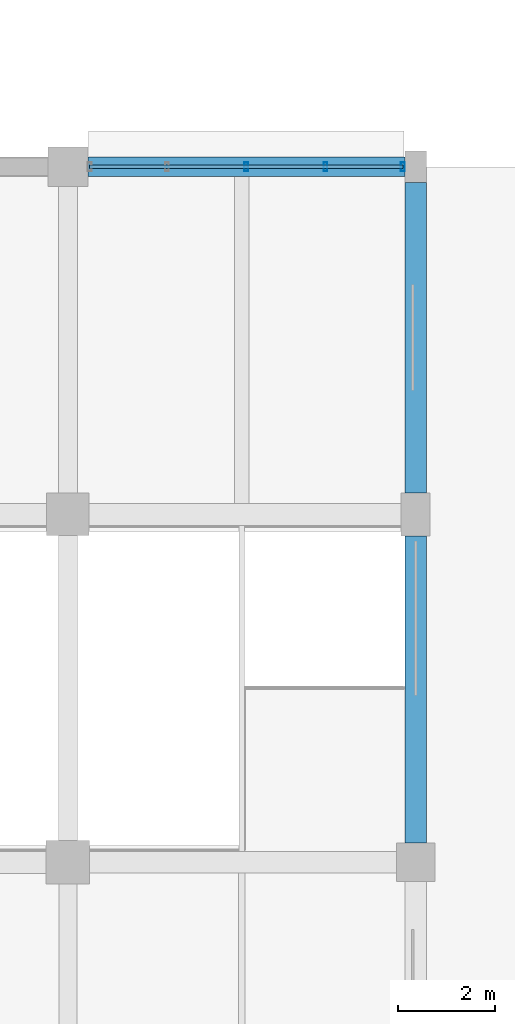
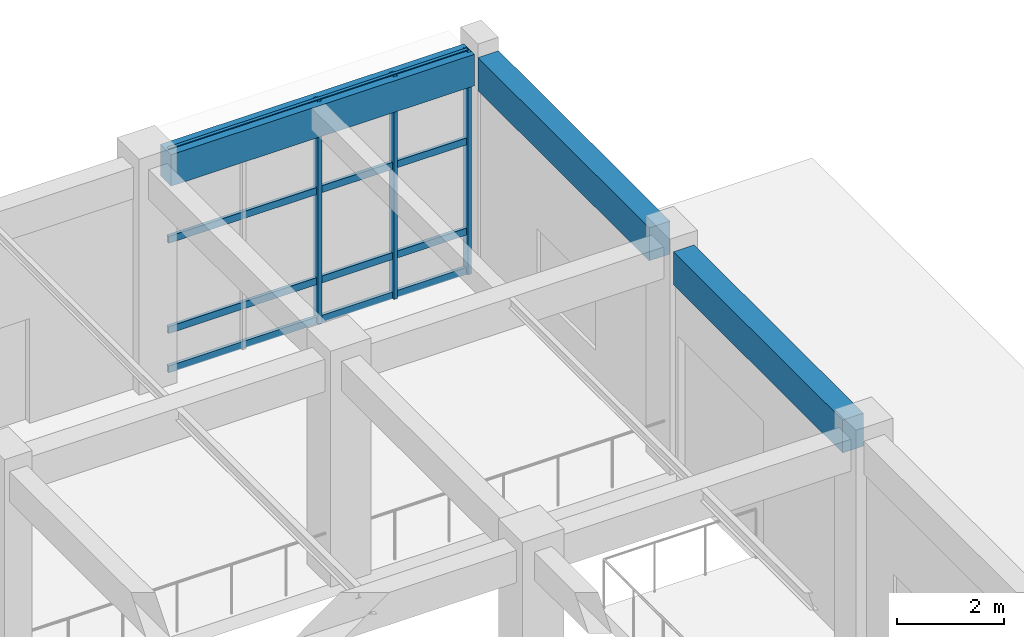
# One storey, part 111 of 160: 7 members, 3 beams, 1 element without a shape of its own.
"""IFC4 building model written with IfcOpenShell, lengths in metres."""

from ifc_helpers import new_model, si_unit, direction, frame, origin, origin_2d, place, context, subcontext, project, spatial, rectangle, hollow_rectangle, extrude, material, material_profile, profile_set, type_object, element, aggregate, save


model = new_model("IFC4")

# Units and contexts
model_context = context("Model", 3, precision=1e-05, world=origin(), true_north=direction((0.0, 1.0)))
body_context = subcontext(model_context, "Body", "Model", "MODEL_VIEW")
ifc_project = project(units=[si_unit("LENGTHUNIT", "METRE"), si_unit("AREAUNIT", "SQUARE_METRE"), si_unit("VOLUMEUNIT", "CUBIC_METRE"), si_unit("PLANEANGLEUNIT", "RADIAN"), si_unit("MASSUNIT", "GRAM", prefix="KILO")], contexts=[model_context])

# Site, building, storey
site_placement = place(None, origin())
site = spatial("IfcSite", under=ifc_project, at=site_placement, CompositionType="ELEMENT")
building_placement = place(site_placement, origin())
building = spatial("IfcBuilding", under=site, at=building_placement, Name="Thalmaran Polytechnic", CompositionType="ELEMENT")
storey_placement = place(building_placement, origin())
storey = spatial("IfcBuildingStorey", under=building, at=storey_placement, Name="L00", CompositionType="ELEMENT", Elevation=0.0)

# Beams
ifc_material_1 = material(Name="Concrete C40/50", Category="concrete")
ifc_material_profile_1 = material_profile(ifc_material_1, rectangle(XDim=0.39990234375, YDim=0.719970703125, at=origin_2d()), Name="RC 400x720")
ifc_profile_set_1 = profile_set([ifc_material_profile_1], Name="Concrete C40/50")
beam_type_1 = type_object("IfcBeamType", Name="BM-SP01", PredefinedType="SPANDREL", material=ifc_profile_set_1)
beam_1_placement = place(storey_placement, frame((166.010009765625, 122.39990234375, 4.72998046875), z_axis=(1.0, 0.0, 0.0), x_axis=(0.0, 1.0, 0.0)))
element("IfcBeam", 1, at=beam_1_placement, inside=storey, type_object=beam_type_1, Name="Grid Beam SP01 L00 X(23,17)", PredefinedType="SPANDREL", context=body_context, shape_type="SweptSolid", body=[
    extrude(rectangle(XDim=0.39990234375, YDim=0.719970703125, at=origin_2d()), origin(), (0.0, 0.0, 1.0), 6.56494140625),
])
ifc_material_profile_2 = material_profile(ifc_material_1, rectangle(XDim=0.449951171875, YDim=0.7548828125, at=origin_2d()), Name="RC 450x755")
ifc_profile_set_2 = profile_set([ifc_material_profile_2], Name="Concrete C40/50")
beam_type_2 = type_object("IfcBeamType", Name="BM-SP02", PredefinedType="SPANDREL", material=ifc_profile_set_2)
beam_2_placement = place(storey_placement, frame((172.800048828125, 108.39990234375, 4.71240234375), z_axis=(0.0, 1.0, 0.0), x_axis=(-1.0, 0.0, 0.0)))
element("IfcBeam", 2, at=beam_2_placement, inside=storey, type_object=beam_type_2, Name="Grid Beam SP02 L00 Y(24,15)", PredefinedType="SPANDREL", context=body_context, shape_type="SweptSolid", body=[
    extrude(rectangle(XDim=0.449951171875, YDim=0.7548828125, at=origin_2d()), origin(), (0.0, 0.0, 1.0), 6.35009765625),
])
beam_3_placement = place(storey_placement, frame((172.800048828125, 115.64990234375, 4.71240234375), z_axis=(0.0, 1.0, 0.0), x_axis=(-1.0, 0.0, 0.0)))
element("IfcBeam", 3, at=beam_3_placement, inside=storey, type_object=beam_type_2, Name="Grid Beam SP02 L00 Y(24,16)", PredefinedType="SPANDREL", context=body_context, shape_type="SweptSolid", body=[
    extrude(rectangle(XDim=0.449951171875, YDim=0.7548828125, at=origin_2d()), origin(), (0.0, 0.0, 1.0), 6.425048828125),
])

# Curtain wall, members
ifc_material_2 = material(Name="Aluminium 6063-T6", Category="aluminium")
curtain_wall_type = type_object("IfcCurtainWallType", Name="CW-UC01", PredefinedType="USERDEFINED", material=ifc_material_2)
curtain_wall_placement = place(storey_placement, origin())
curtain_wall = element("IfcCurtainWall", 4, at=curtain_wall_placement, inside=storey, type_object=curtain_wall_type, Name="Curtain Wall CW-L00-013", ObjectType="UNITISED CURTAIN WALL", PredefinedType="USERDEFINED")
ifc_material_profile_3 = material_profile(ifc_material_2, hollow_rectangle(XDim=0.080078125, YDim=0.179931640625, WallThickness=0.0048828125, at=origin_2d()), Name="RHS 180x80x5.0")
ifc_profile_set_3 = profile_set([ifc_material_profile_3], Name="Aluminium 6063-T6")
member_type_1 = type_object("IfcMemberType", Name="CW-MUL1", PredefinedType="MULLION", material=ifc_profile_set_3)
member_1_placement = place(storey_placement, frame((169.29248046875, 122.39990234375, 0.0), z_axis=(0.0, 0.0, 1.0), x_axis=(1.0, 0.0, 0.0)))
member_1 = element("IfcMember", 5, at=member_1_placement, type_object=member_type_1, Name="CW-L00-013 Mullion 3", PredefinedType="MULLION", context=body_context, shape_type="SweptSolid", body=[
    extrude(hollow_rectangle(XDim=0.080078125, YDim=0.179931640625, WallThickness=0.0048828125, at=origin_2d()), origin(), (0.0, 0.0, 1.0), 5.090087890625),
])
member_2_placement = place(storey_placement, frame((170.933837890625, 122.39990234375, 0.0), z_axis=(0.0, 0.0, 1.0), x_axis=(1.0, 0.0, 0.0)))
member_2 = element("IfcMember", 6, at=member_2_placement, type_object=member_type_1, Name="CW-L00-013 Mullion 4", PredefinedType="MULLION", context=body_context, shape_type="SweptSolid", body=[
    extrude(hollow_rectangle(XDim=0.080078125, YDim=0.179931640625, WallThickness=0.0048828125, at=origin_2d()), origin(), (0.0, 0.0, 1.0), 5.090087890625),
])
member_3_placement = place(storey_placement, frame((172.534912109375, 122.39990234375, 0.0), z_axis=(0.0, 0.0, 1.0), x_axis=(1.0, 0.0, 0.0)))
member_3 = element("IfcMember", 7, at=member_3_placement, type_object=member_type_1, Name="CW-L00-013 Mullion 5", PredefinedType="MULLION", context=body_context, shape_type="SweptSolid", body=[
    extrude(hollow_rectangle(XDim=0.080078125, YDim=0.179931640625, WallThickness=0.0048828125, at=origin_2d()), origin(), (0.0, 0.0, 1.0), 5.090087890625),
])
ifc_material_profile_4 = material_profile(ifc_material_2, hollow_rectangle(XDim=0.070068359375, YDim=0.159912109375, WallThickness=0.00390625, at=origin_2d()), Name="AL 160x70x4.0")
ifc_profile_set_4 = profile_set([ifc_material_profile_4], Name="Aluminium 6063-T6")
member_type_2 = type_object("IfcMemberType", Name="CW-TRN1", PredefinedType="USERDEFINED", material=ifc_profile_set_4)
member_4_placement = place(storey_placement, frame((166.050048828125, 122.39990234375, 0.06005859375), z_axis=(1.0, 0.0, 0.0), x_axis=(0.0, 1.0, 0.0)))
member_4 = element("IfcMember", 8, at=member_4_placement, type_object=member_type_2, Name="CW-L00-013 Transom 1", ObjectType="TRANSOM", PredefinedType="USERDEFINED", context=body_context, shape_type="SweptSolid", body=[
    extrude(hollow_rectangle(XDim=0.070068359375, YDim=0.159912109375, WallThickness=0.00390625, at=origin_2d()), origin(), (0.0, 0.0, 1.0), 6.48486328125),
])
member_5_placement = place(storey_placement, frame((166.050048828125, 122.39990234375, 0.9599609375), z_axis=(1.0, 0.0, 0.0), x_axis=(0.0, 1.0, 0.0)))
member_5 = element("IfcMember", 9, at=member_5_placement, type_object=member_type_2, Name="CW-L00-013 Transom 2", ObjectType="TRANSOM", PredefinedType="USERDEFINED", context=body_context, shape_type="SweptSolid", body=[
    extrude(hollow_rectangle(XDim=0.070068359375, YDim=0.159912109375, WallThickness=0.00390625, at=origin_2d()), origin(), (0.0, 0.0, 1.0), 6.48486328125),
])
member_6_placement = place(storey_placement, frame((166.050048828125, 122.39990234375, 3.02490234375), z_axis=(1.0, 0.0, 0.0), x_axis=(0.0, 1.0, 0.0)))
member_6 = element("IfcMember", 10, at=member_6_placement, type_object=member_type_2, Name="CW-L00-013 Transom 3", ObjectType="TRANSOM", PredefinedType="USERDEFINED", context=body_context, shape_type="SweptSolid", body=[
    extrude(hollow_rectangle(XDim=0.070068359375, YDim=0.159912109375, WallThickness=0.00390625, at=origin_2d()), origin(), (0.0, 0.0, 1.0), 6.48486328125),
])
member_7_placement = place(storey_placement, frame((166.050048828125, 122.39990234375, 5.030029296875), z_axis=(1.0, 0.0, 0.0), x_axis=(0.0, 1.0, 0.0)))
member_7 = element("IfcMember", 11, at=member_7_placement, type_object=member_type_2, Name="CW-L00-013 Transom 4", ObjectType="TRANSOM", PredefinedType="USERDEFINED", context=body_context, shape_type="SweptSolid", body=[
    extrude(hollow_rectangle(XDim=0.070068359375, YDim=0.159912109375, WallThickness=0.00390625, at=origin_2d()), origin(), (0.0, 0.0, 1.0), 6.48486328125),
])
aggregate(curtain_wall, [member_1, member_2, member_3, member_4, member_5, member_6, member_7])

save(model, "model.ifc")
